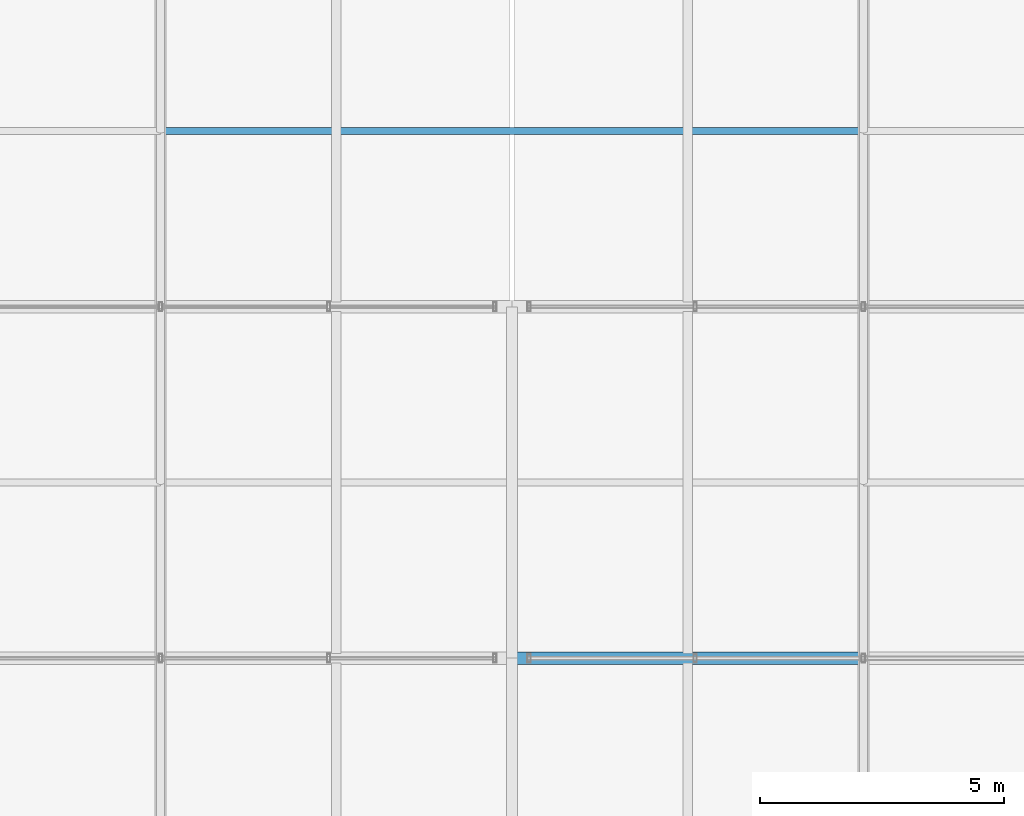
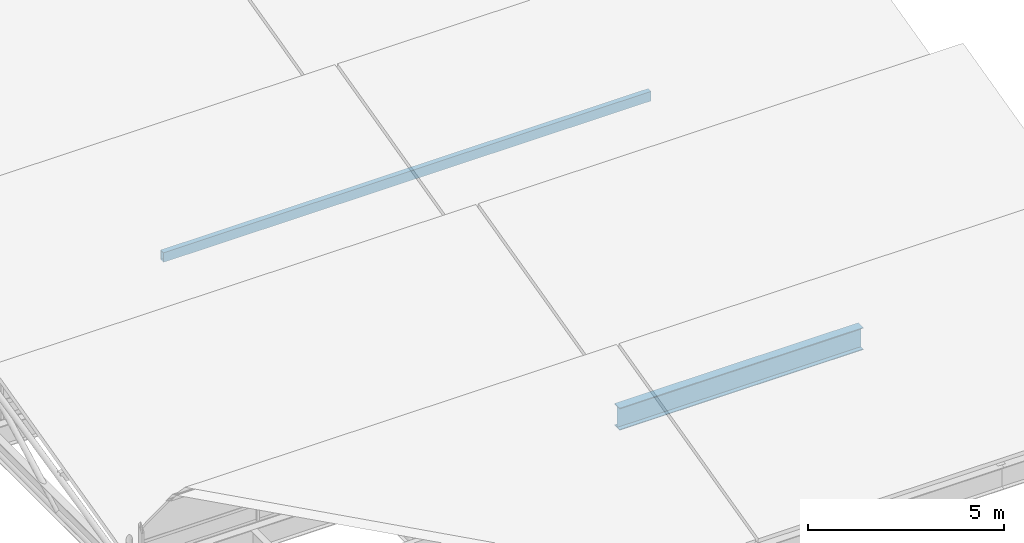
# One storey, part 59 of 144: 1 beam, 1 member.
"""IFC4 building model written with IfcOpenShell, lengths in metres."""

from ifc_helpers import new_model, si_unit, direction, frame, origin, origin_2d, place, context, subcontext, project, spatial, hollow_rectangle, i_section, extrude, material, material_profile, profile_set, type_object, element, save


model = new_model("IFC4")

# Units and contexts
model_context = context("Model", 3, precision=1e-05, world=origin(), true_north=direction((0.0, 1.0)))
body_context = subcontext(model_context, "Body", "Model", "MODEL_VIEW")
ifc_project = project(units=[si_unit("LENGTHUNIT", "METRE"), si_unit("AREAUNIT", "SQUARE_METRE"), si_unit("VOLUMEUNIT", "CUBIC_METRE"), si_unit("PLANEANGLEUNIT", "RADIAN"), si_unit("MASSUNIT", "GRAM", prefix="KILO")], contexts=[model_context])

# Site, building, storey
site_placement = place(None, origin())
site = spatial("IfcSite", under=ifc_project, at=site_placement, CompositionType="ELEMENT")
building_placement = place(site_placement, origin())
building = spatial("IfcBuilding", under=site, at=building_placement, Name="Yarey Park Central Fire Station", CompositionType="ELEMENT")
storey_placement = place(building_placement, frame((0.0, 0.0, 10.199951171875)))
storey = spatial("IfcBuildingStorey", under=building, at=storey_placement, Name="L03", CompositionType="ELEMENT", Elevation=10.199951171875)

# Beam
ifc_material_1 = material(Name="Steel ASTM A992 Gr. 50", Category="steel")
ifc_material_profile_1 = material_profile(ifc_material_1, i_section(OverallWidth=0.256103515625, OverallDepth=0.693115234375, WebThickness=0.014404296875, FlangeThickness=0.023681640625, at=origin_2d()), Name="W690x170")
ifc_profile_set_1 = profile_set([ifc_material_profile_1], Name="Steel ASTM A992 Gr. 50")
beam_type = type_object("IfcBeamType", Name="STR_BM_W690", PredefinedType="BEAM", material=ifc_profile_set_1)
beam_placement = place(storey_placement, frame((151.199951171875, 50.39990234375, -0.5263671875), z_axis=(1.0, 0.0, 0.0), x_axis=(0.0, 1.0, 0.0)))
element("IfcBeam", 1, at=beam_placement, inside=storey, type_object=beam_type, Name="BMX L03 Y504 X1512", PredefinedType="BEAM", context=body_context, shape_type="SweptSolid", body=[
    extrude(i_section(OverallWidth=0.256103515625, OverallDepth=0.693115234375, WebThickness=0.014404296875, FlangeThickness=0.023681640625, at=origin_2d()), origin(), (0.0, 0.0, 1.0), 7.199951171875),
])

# Member
ifc_material_2 = material(Name="Steel ASTM A500 Gr. C", Category="steel")
ifc_material_profile_2 = material_profile(ifc_material_2, hollow_rectangle(XDim=0.14990234375, YDim=0.300048828125, WallThickness=0.010009765625, at=origin_2d()), Name="HSS 300x150x10")
ifc_profile_set_2 = profile_set([ifc_material_profile_2], Name="Steel ASTM A500 Gr. C")
member_type = type_object("IfcMemberType", Name="STR_PUR_HSS300", PredefinedType="PURLIN", material=ifc_profile_set_2)
member_placement = place(storey_placement, frame((144.0, 61.199951171875, 0.462646484375), z_axis=(1.0, 0.0, 0.0), x_axis=(0.0, 1.0, 0.0)))
element("IfcMember", 2, at=member_placement, inside=storey, type_object=member_type, Name="SAW_PUR_2_B3", PredefinedType="PURLIN", context=body_context, shape_type="SweptSolid", body=[
    extrude(hollow_rectangle(XDim=0.14990234375, YDim=0.300048828125, WallThickness=0.010009765625, at=origin_2d()), origin(), (0.0, 0.0, 1.0), 14.39990234375),
])

save(model, "model.ifc")
